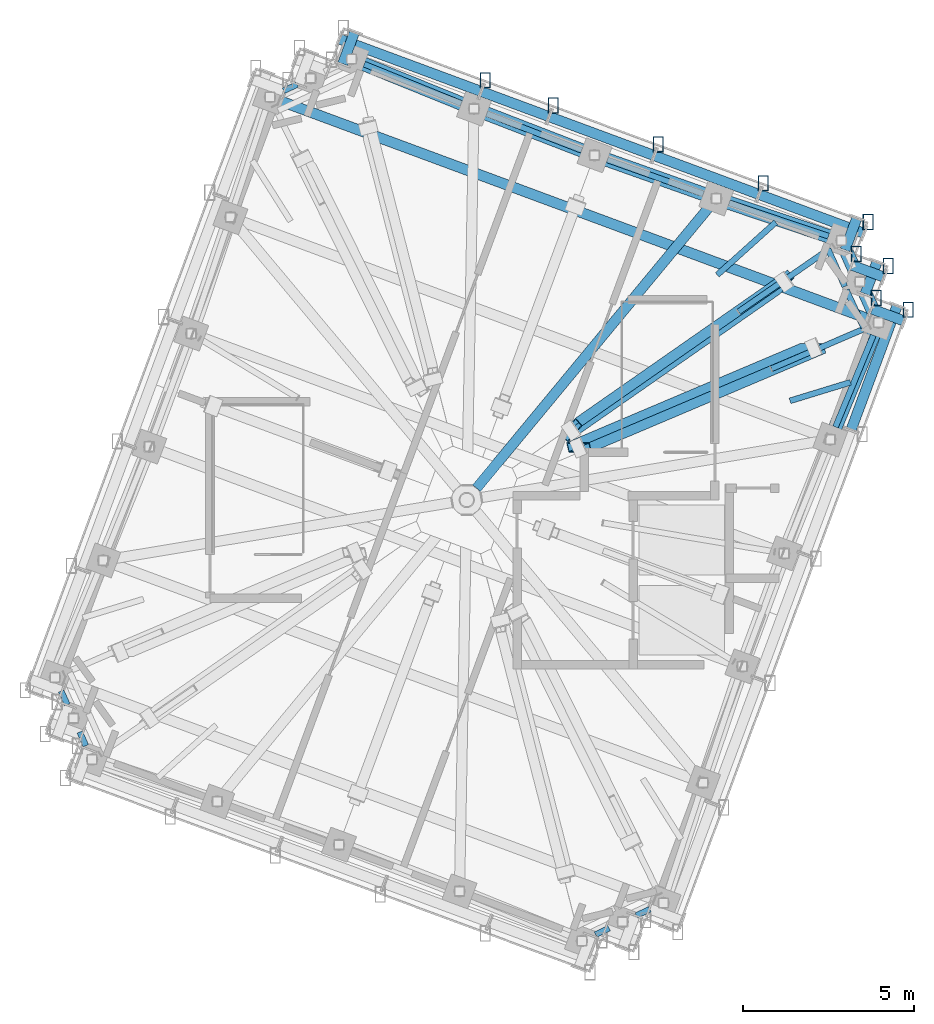
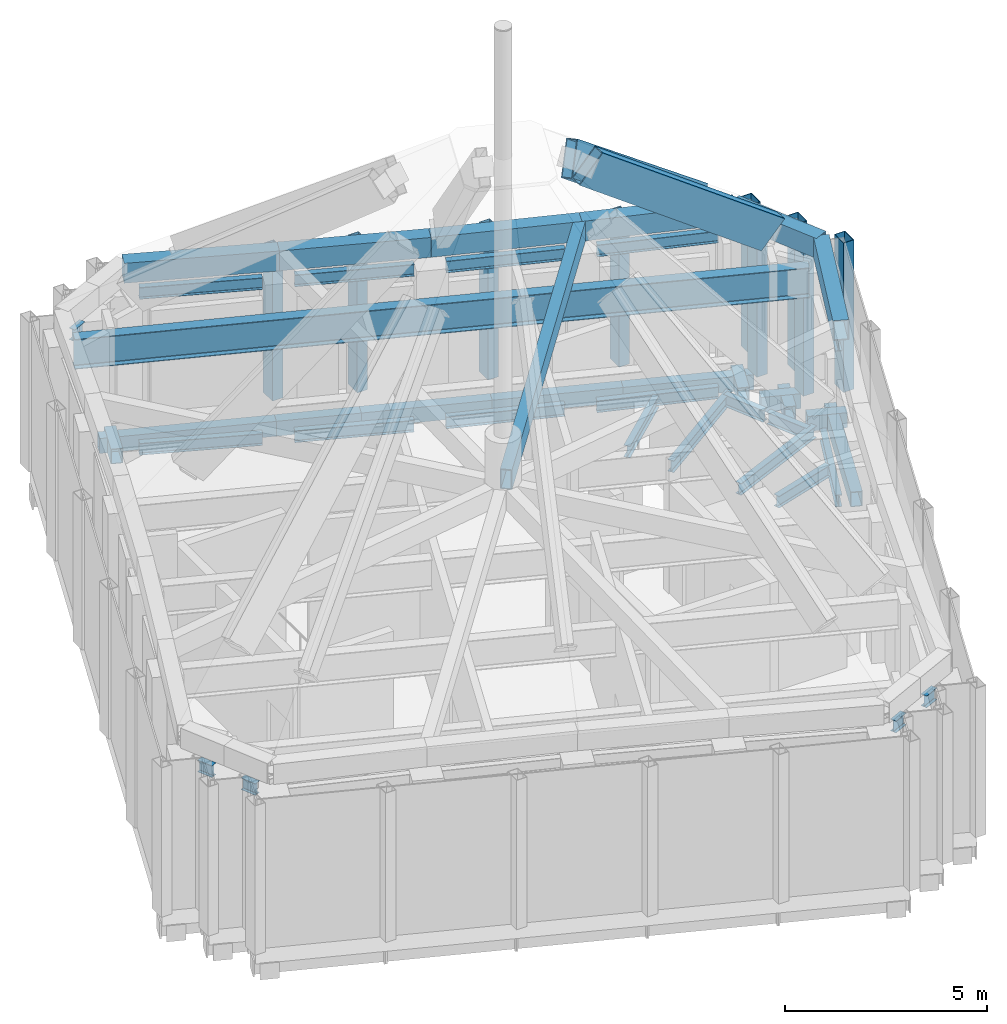
# One storey, part 4 of 14: 30 beams, 22 members, 13 elements without a shape of their own.
"""IFC4 building model written with IfcOpenShell, lengths in metres."""

from ifc_helpers import new_model, si_unit, direction, frame, origin, origin_2d, place, context, subcontext, project, spatial, hollow_rectangle, i_section, extrude, material, material_profile, profile_set, type_object, element, aggregate, save


model = new_model("IFC4")

# Units and contexts
model_context = context("Model", 3, precision=1e-05, world=origin(), true_north=direction((0.0, 1.0)))
body_context = subcontext(model_context, "Body", "Model", "MODEL_VIEW")
ifc_project = project(units=[si_unit("LENGTHUNIT", "METRE"), si_unit("AREAUNIT", "SQUARE_METRE"), si_unit("VOLUMEUNIT", "CUBIC_METRE"), si_unit("PLANEANGLEUNIT", "RADIAN"), si_unit("MASSUNIT", "GRAM", prefix="KILO")], contexts=[model_context])

# Site, building, storey
site_placement = place(None, origin())
site = spatial("IfcSite", under=ifc_project, at=site_placement, CompositionType="ELEMENT")
building_placement = place(site_placement, origin())
building = spatial("IfcBuilding", under=site, at=building_placement, Name="Cantera Rosa Tower", CompositionType="ELEMENT")
storey_placement = place(building_placement, frame((0.0, 0.0, 374.199951171875)))
storey = spatial("IfcBuildingStorey", under=building, at=storey_placement, Name="L84", CompositionType="ELEMENT", Elevation=374.199951171875)

# Curtain wall, member
ifc_material_1 = material(Name="Aluminium frame with clear glass", Category="aluminium")
curtain_wall_type = type_object("IfcCurtainWallType", Name="CW4 CROWN GLAZING", PredefinedType="NOTDEFINED", material=ifc_material_1)
curtain_wall_1_placement = place(storey_placement, origin())
curtain_wall_1 = element("IfcCurtainWall", 1, at=curtain_wall_1_placement, inside=storey, type_object=curtain_wall_type, Name="CW4 L84-01", PredefinedType="NOTDEFINED")
ifc_material_2 = material(Name="Steel S355J2 (EN 10025-2)", Category="steel")
ifc_material_profile_1 = material_profile(ifc_material_2, hollow_rectangle(XDim=0.300048828125, YDim=0.449951171875, WallThickness=0.01611328125, at=origin_2d()), Name="CROWN FRAME MULLION RHS 300x450x16")
ifc_profile_set_1 = profile_set([ifc_material_profile_1], Name="Steel S355J2 (EN 10025-2)")
member_type_1 = type_object("IfcMemberType", Name="CROWN FRAME MULLION RHS 300x450x16", PredefinedType="MULLION", material=ifc_profile_set_1)
member_1_placement = place(storey_placement, frame((11.76318359375, 8.14501953125, 0.0), z_axis=(0.0, 0.0, 1.0), x_axis=(1.0, 0.0, 0.0)))
member_1 = element("IfcMember", 2, at=member_1_placement, type_object=member_type_1, Name="CROWN FRAME rib L84-01", PredefinedType="MULLION", context=body_context, shape_type="SweptSolid", body=[
    extrude(hollow_rectangle(XDim=0.300048828125, YDim=0.449951171875, WallThickness=0.01611328125, at=origin_2d()), origin(), (0.0, 0.0, 1.0), 4.5),
])

curtain_wall_2_placement = place(storey_placement, origin())
curtain_wall_2 = element("IfcCurtainWall", 3, at=curtain_wall_2_placement, inside=storey, type_object=curtain_wall_type, Name="CW4 L84-02", PredefinedType="NOTDEFINED")
member_2_placement = place(storey_placement, frame((8.687744140625, 9.28466796875, 0.0), z_axis=(0.0, 0.0, 1.0), x_axis=(1.0, 0.0, 0.0)))
member_2 = element("IfcMember", 4, at=member_2_placement, type_object=member_type_1, Name="CROWN FRAME rib L84-02", PredefinedType="MULLION", context=body_context, shape_type="SweptSolid", body=[
    extrude(hollow_rectangle(XDim=0.300048828125, YDim=0.449951171875, WallThickness=0.01611328125, at=origin_2d()), origin(), (0.0, 0.0, 1.0), 4.5),
])

curtain_wall_3_placement = place(storey_placement, origin())
curtain_wall_3 = element("IfcCurtainWall", 5, at=curtain_wall_3_placement, inside=storey, type_object=curtain_wall_type, Name="CW4 L84-03", PredefinedType="NOTDEFINED")
member_3_placement = place(storey_placement, frame((5.612060546875, 10.424560546875, 0.0), z_axis=(0.0, 0.0, 1.0), x_axis=(1.0, 0.0, 0.0)))
member_3 = element("IfcMember", 6, at=member_3_placement, type_object=member_type_1, Name="CROWN FRAME rib L84-03", PredefinedType="MULLION", context=body_context, shape_type="SweptSolid", body=[
    extrude(hollow_rectangle(XDim=0.300048828125, YDim=0.449951171875, WallThickness=0.01611328125, at=origin_2d()), origin(), (0.0, 0.0, 1.0), 4.5),
])

curtain_wall_4_placement = place(storey_placement, origin())
curtain_wall_4 = element("IfcCurtainWall", 7, at=curtain_wall_4_placement, inside=storey, type_object=curtain_wall_type, Name="CW4 L84-04", PredefinedType="NOTDEFINED")
member_4_placement = place(storey_placement, frame((2.536376953125, 11.564208984375, 0.0), z_axis=(0.0, 0.0, 1.0), x_axis=(1.0, 0.0, 0.0)))
member_4 = element("IfcMember", 8, at=member_4_placement, type_object=member_type_1, Name="CROWN FRAME rib L84-04", PredefinedType="MULLION", context=body_context, shape_type="SweptSolid", body=[
    extrude(hollow_rectangle(XDim=0.300048828125, YDim=0.449951171875, WallThickness=0.01611328125, at=origin_2d()), origin(), (0.0, 0.0, 1.0), 4.5),
])

curtain_wall_5_placement = place(storey_placement, origin())
curtain_wall_5 = element("IfcCurtainWall", 9, at=curtain_wall_5_placement, inside=storey, type_object=curtain_wall_type, Name="CW4 L84-05", PredefinedType="NOTDEFINED")
member_5_placement = place(storey_placement, frame((0.5419921875, 12.30322265625, 0.0), z_axis=(0.0, 0.0, 1.0), x_axis=(1.0, 0.0, 0.0)))
member_5 = element("IfcMember", 10, at=member_5_placement, type_object=member_type_1, Name="CROWN FRAME rib L84-05", PredefinedType="MULLION", context=body_context, shape_type="SweptSolid", body=[
    extrude(hollow_rectangle(XDim=0.300048828125, YDim=0.449951171875, WallThickness=0.01611328125, at=origin_2d()), origin(), (0.0, 0.0, 1.0), 4.5),
])

curtain_wall_6_placement = place(storey_placement, origin())
curtain_wall_6 = element("IfcCurtainWall", 11, at=curtain_wall_6_placement, inside=storey, type_object=curtain_wall_type, Name="CW4 L84-33", PredefinedType="NOTDEFINED")
member_6_placement = place(storey_placement, frame((12.943603515625, 5.57470703125, 0.0), z_axis=(0.0, 0.0, 1.0), x_axis=(1.0, 0.0, 0.0)))
member_6 = element("IfcMember", 12, at=member_6_placement, type_object=member_type_1, Name="CROWN FRAME rib L84-33", PredefinedType="MULLION", context=body_context, shape_type="SweptSolid", body=[
    extrude(hollow_rectangle(XDim=0.300048828125, YDim=0.449951171875, WallThickness=0.01611328125, at=origin_2d()), origin(), (0.0, 0.0, 1.0), 4.5),
])

curtain_wall_7_placement = place(storey_placement, origin())
curtain_wall_7 = element("IfcCurtainWall", 13, at=curtain_wall_7_placement, inside=storey, type_object=curtain_wall_type, Name="CW4 L84-34", PredefinedType="NOTDEFINED")
member_7_placement = place(storey_placement, frame((12.005859375, 5.922119140625, 0.0), z_axis=(0.0, 0.0, 1.0), x_axis=(1.0, 0.0, 0.0)))
member_7 = element("IfcMember", 14, at=member_7_placement, type_object=member_type_1, Name="CROWN FRAME rib L84-34", PredefinedType="MULLION", context=body_context, shape_type="SweptSolid", body=[
    extrude(hollow_rectangle(XDim=0.300048828125, YDim=0.449951171875, WallThickness=0.01611328125, at=origin_2d()), origin(), (0.0, 0.0, 1.0), 4.5),
])

curtain_wall_8_placement = place(storey_placement, origin())
curtain_wall_8 = element("IfcCurtainWall", 15, at=curtain_wall_8_placement, inside=storey, type_object=curtain_wall_type, Name="CW4 L84-35", PredefinedType="NOTDEFINED")
member_8_placement = place(storey_placement, frame((12.353515625, 6.85986328125, 0.0), z_axis=(0.0, 0.0, 1.0), x_axis=(1.0, 0.0, 0.0)))
member_8 = element("IfcMember", 16, at=member_8_placement, type_object=member_type_1, Name="CROWN FRAME rib L84-35", PredefinedType="MULLION", context=body_context, shape_type="SweptSolid", body=[
    extrude(hollow_rectangle(XDim=0.300048828125, YDim=0.449951171875, WallThickness=0.01611328125, at=origin_2d()), origin(), (0.0, 0.0, 1.0), 4.5),
])

curtain_wall_9_placement = place(storey_placement, origin())
curtain_wall_9 = element("IfcCurtainWall", 17, at=curtain_wall_9_placement, inside=storey, type_object=curtain_wall_type, Name="CW4 L84-36", PredefinedType="NOTDEFINED")
member_9_placement = place(storey_placement, frame((11.415771484375, 7.207275390625, 0.0), z_axis=(0.0, 0.0, 1.0), x_axis=(1.0, 0.0, 0.0)))
member_9 = element("IfcMember", 18, at=member_9_placement, type_object=member_type_1, Name="CROWN FRAME rib L84-36", PredefinedType="MULLION", context=body_context, shape_type="SweptSolid", body=[
    extrude(hollow_rectangle(XDim=0.300048828125, YDim=0.449951171875, WallThickness=0.01611328125, at=origin_2d()), origin(), (0.0, 0.0, 1.0), 4.5),
])

# Member
ifc_material_3 = material(Name="Steel S355J2 (EN 10025-2)", Category="steel")
ifc_material_profile_2 = material_profile(ifc_material_3, hollow_rectangle(XDim=0.300048828125, YDim=0.449951171875, WallThickness=0.01611328125, at=origin_2d()), Name="CROWN FRAME PURLIN RHS 300x450x16")
ifc_profile_set_2 = profile_set([ifc_material_profile_2], Name="Steel S355J2 (EN 10025-2)")
member_type_2 = type_object("IfcMemberType", Name="CROWN FRAME PURLIN RHS 300x450x16", PredefinedType="PURLIN", material=ifc_profile_set_2)
member_10_placement = place(storey_placement, frame((11.6416015625, 7.81689453125, -0.675048828125), z_axis=(-0.937698470917, 0.347450108131, 0.0), x_axis=(-0.347450108131, -0.937698470917, 0.0)))
member_10 = element("IfcMember", 19, at=member_10_placement, type_object=member_type_2, Name="CROWN FRAME purlin L84-01", PredefinedType="PURLIN", context=body_context, shape_type="SweptSolid", body=[
    extrude(hollow_rectangle(XDim=0.300048828125, YDim=0.449951171875, WallThickness=0.01611328125, at=origin_2d()), origin(), (0.0, 0.0, 1.0), 3.280029296875),
])

aggregate(curtain_wall_1, [member_1, member_10])

member_11_placement = place(storey_placement, frame((8.56591796875, 8.95654296875, -0.675048828125), z_axis=(-0.93766522927, 0.34753980753, 0.0), x_axis=(-0.34753980753, -0.93766522927, 0.0)))
member_11 = element("IfcMember", 20, at=member_11_placement, type_object=member_type_2, Name="CROWN FRAME purlin L84-02", PredefinedType="PURLIN", context=body_context, shape_type="SweptSolid", body=[
    extrude(hollow_rectangle(XDim=0.300048828125, YDim=0.449951171875, WallThickness=0.01611328125, at=origin_2d()), origin(), (0.0, 0.0, 1.0), 3.27978515625),
])

aggregate(curtain_wall_2, [member_2, member_11])

member_12_placement = place(storey_placement, frame((5.490478515625, 10.096435546875, -0.675048828125), z_axis=(-0.937698470917, 0.347450108131, 0.0), x_axis=(-0.347450108131, -0.937698470917, 0.0)))
member_12 = element("IfcMember", 21, at=member_12_placement, type_object=member_type_2, Name="CROWN FRAME purlin L84-03", PredefinedType="PURLIN", context=body_context, shape_type="SweptSolid", body=[
    extrude(hollow_rectangle(XDim=0.300048828125, YDim=0.449951171875, WallThickness=0.01611328125, at=origin_2d()), origin(), (0.0, 0.0, 1.0), 3.280029296875),
])

aggregate(curtain_wall_3, [member_3, member_12])

member_13_placement = place(storey_placement, frame((2.414794921875, 11.236083984375, -0.675048828125), z_axis=(-0.937694748282, 0.347460154615, 0.0), x_axis=(-0.347460154615, -0.937694748282, 0.0)))
member_13 = element("IfcMember", 22, at=member_13_placement, type_object=member_type_2, Name="CROWN FRAME purlin L84-04", PredefinedType="PURLIN", context=body_context, shape_type="SweptSolid", body=[
    extrude(hollow_rectangle(XDim=0.300048828125, YDim=0.449951171875, WallThickness=0.01611328125, at=origin_2d()), origin(), (0.0, 0.0, 1.0), 2.126953125),
])

aggregate(curtain_wall_4, [member_4, member_13])

member_14_placement = place(storey_placement, frame((0.42041015625, 11.97509765625, -0.675048828125), z_axis=(-0.937675663394, 0.347511654882, 0.0), x_axis=(-0.347511654882, -0.937675663394, 0.0)))
member_14 = element("IfcMember", 23, at=member_14_placement, type_object=member_type_2, Name="CROWN FRAME purlin L84-05", PredefinedType="PURLIN", context=body_context, shape_type="SweptSolid", body=[
    extrude(hollow_rectangle(XDim=0.300048828125, YDim=0.449951171875, WallThickness=0.01611328125, at=origin_2d()), origin(), (0.0, 0.0, 1.0), 4.43310546875),
])

aggregate(curtain_wall_5, [member_5, member_14])

# Curtain wall, member
curtain_wall_10_placement = place(storey_placement, origin())
curtain_wall_10 = element("IfcCurtainWall", 24, at=curtain_wall_10_placement, inside=storey, type_object=curtain_wall_type, Name="CW4 L84-06", PredefinedType="NOTDEFINED")
member_15_placement = place(storey_placement, frame((-3.28662109375, 13.72216796875, -0.675048828125), z_axis=(-0.347401818267, -0.937716362588, 0.0), x_axis=(0.937716362588, -0.347401818267, 0.0)))
member_15 = element("IfcMember", 25, at=member_15_placement, type_object=member_type_2, Name="CROWN FRAME purlin L84-06", PredefinedType="PURLIN", context=body_context, shape_type="SweptSolid", body=[
    extrude(hollow_rectangle(XDim=0.300048828125, YDim=0.449951171875, WallThickness=0.01611328125, at=origin_2d()), origin(), (0.0, 0.0, 1.0), 1.0),
])
aggregate(curtain_wall_10, [member_15])

curtain_wall_11_placement = place(storey_placement, origin())
curtain_wall_11 = element("IfcCurtainWall", 26, at=curtain_wall_11_placement, inside=storey, type_object=curtain_wall_type, Name="CW4 L84-32", PredefinedType="NOTDEFINED")
member_16_placement = place(storey_placement, frame((11.263671875, 2.048828125, -0.675048828125), z_axis=(0.347516717491, 0.937673787126, 0.0), x_axis=(-0.937673787126, 0.347516717491, 0.0)))
member_16 = element("IfcMember", 27, at=member_16_placement, type_object=member_type_2, Name="CROWN FRAME purlin L84-32", PredefinedType="PURLIN", context=body_context, shape_type="SweptSolid", body=[
    extrude(hollow_rectangle(XDim=0.300048828125, YDim=0.449951171875, WallThickness=0.01611328125, at=origin_2d()), origin(), (0.0, 0.0, 1.0), 3.889892578125),
])
aggregate(curtain_wall_11, [member_16])

# Member
member_17_placement = place(storey_placement, frame((12.822021484375, 5.24658203125, -0.675048828125), z_axis=(-0.937716362588, 0.347401818267, 0.0), x_axis=(-0.347401818267, -0.937716362588, 0.0)))
member_17 = element("IfcMember", 28, at=member_17_placement, type_object=member_type_2, Name="CROWN FRAME purlin L84-33", PredefinedType="PURLIN", context=body_context, shape_type="SweptSolid", body=[
    extrude(hollow_rectangle(XDim=0.300048828125, YDim=0.449951171875, WallThickness=0.01611328125, at=origin_2d()), origin(), (0.0, 0.0, 1.0), 1.0),
])

aggregate(curtain_wall_6, [member_6, member_17])

member_18_placement = place(storey_placement, frame((11.677734375, 6.043701171875, -0.675048828125), z_axis=(0.347401818267, 0.937716362588, 0.0), x_axis=(-0.937716362588, 0.347401818267, 0.0)))
member_18 = element("IfcMember", 29, at=member_18_placement, type_object=member_type_2, Name="CROWN FRAME purlin L84-34", PredefinedType="PURLIN", context=body_context, shape_type="SweptSolid", body=[
    extrude(hollow_rectangle(XDim=0.300048828125, YDim=0.449951171875, WallThickness=0.01611328125, at=origin_2d()), origin(), (0.0, 0.0, 1.0), 1.0),
])

aggregate(curtain_wall_7, [member_7, member_18])

member_19_placement = place(storey_placement, frame((12.23193359375, 6.53173828125, -0.675048828125), z_axis=(-0.937716362588, 0.347401818267, 0.0), x_axis=(-0.347401818267, -0.937716362588, 0.0)))
member_19 = element("IfcMember", 30, at=member_19_placement, type_object=member_type_2, Name="CROWN FRAME purlin L84-35", PredefinedType="PURLIN", context=body_context, shape_type="SweptSolid", body=[
    extrude(hollow_rectangle(XDim=0.300048828125, YDim=0.449951171875, WallThickness=0.01611328125, at=origin_2d()), origin(), (0.0, 0.0, 1.0), 1.0),
])

aggregate(curtain_wall_8, [member_8, member_19])

member_20_placement = place(storey_placement, frame((11.087646484375, 7.328857421875, -0.675048828125), z_axis=(0.347401818267, 0.937716362588, 0.0), x_axis=(-0.937716362588, 0.347401818267, 0.0)))
member_20 = element("IfcMember", 31, at=member_20_placement, type_object=member_type_2, Name="CROWN FRAME purlin L84-36", PredefinedType="PURLIN", context=body_context, shape_type="SweptSolid", body=[
    extrude(hollow_rectangle(XDim=0.300048828125, YDim=0.449951171875, WallThickness=0.01611328125, at=origin_2d()), origin(), (0.0, 0.0, 1.0), 1.0),
])

aggregate(curtain_wall_9, [member_9, member_20])

# Curtain wall, member
curtain_wall_12_placement = place(storey_placement, origin())
curtain_wall_12 = element("IfcCurtainWall", 32, at=curtain_wall_12_placement, inside=storey, type_object=curtain_wall_type, Name="CW4 L84-06", PredefinedType="NOTDEFINED")
ifc_material_4 = material(Name="Steel S355J2 (EN 10025-2)", Category="steel")
ifc_material_profile_3 = material_profile(ifc_material_4, hollow_rectangle(XDim=0.300048828125, YDim=1.0, WallThickness=0.02490234375, at=origin_2d()), Name="CROWN HIP RAFTER RHS 300x1000x25")
ifc_profile_set_3 = profile_set([ifc_material_profile_3], Name="Steel S355J2 (EN 10025-2)")
member_type_3 = type_object("IfcMemberType", Name="CROWN HIP RAFTER RHS 300x1000x25", PredefinedType="RAFTER", material=ifc_profile_set_3)
member_21_placement = place(storey_placement, frame((10.154052734375, 4.44873046875, 6.333251953125), z_axis=(-0.710487546272, -0.301068181537, 0.636054554782), x_axis=(-0.225007431525, 0.953602099005, 0.200036727957)))
member_21 = element("IfcMember", 33, at=member_21_placement, type_object=member_type_3, Name="CROWN FRAME rib L84-06", PredefinedType="RAFTER", context=body_context, shape_type="SweptSolid", body=[
    extrude(hollow_rectangle(XDim=0.300048828125, YDim=1.0, WallThickness=0.02490234375, at=origin_2d()), origin(), (0.0, 0.0, 1.0), 9.65966796875),
])
aggregate(curtain_wall_12, [member_21])

curtain_wall_13_placement = place(storey_placement, origin())
curtain_wall_13 = element("IfcCurtainWall", 34, at=curtain_wall_13_placement, inside=storey, type_object=curtain_wall_type, Name="CW4 L84-07", PredefinedType="NOTDEFINED")
member_22_placement = place(storey_placement, frame((9.28955078125, 6.385986328125, 6.3212890625), z_axis=(-0.637150781538, -0.444401597617, 0.629719065632), x_axis=(-0.641892340594, 0.758215272335, -0.114384543904)))
member_22 = element("IfcMember", 35, at=member_22_placement, type_object=member_type_3, Name="CROWN FRAME rib L84-07", PredefinedType="RAFTER", context=body_context, shape_type="SweptSolid", body=[
    extrude(hollow_rectangle(XDim=0.300048828125, YDim=1.0, WallThickness=0.02490234375, at=origin_2d()), origin(), (0.0, 0.0, 1.0), 9.7568359375),
])
aggregate(curtain_wall_13, [member_22])

# Beams
ifc_material_5 = material(Name="Steel S355J2 (EN 10025-2)", Category="steel")
ifc_material_profile_4 = material_profile(ifc_material_5, hollow_rectangle(XDim=0.39990234375, YDim=0.60009765625, WallThickness=0.02490234375, at=origin_2d()), Name="CROWN RING BOX 400x600x25")
ifc_profile_set_4 = profile_set([ifc_material_profile_4], Name="Steel S355J2 (EN 10025-2)")
beam_type_1 = type_object("IfcBeamType", Name="CROWN RING BOX 400x600x25", PredefinedType="BEAM", material=ifc_profile_set_4)
beam_1_placement = place(storey_placement, frame((10.65478515625, 1.771240234375, 4.800048828125), z_axis=(0.381865284595, 0.924217996158, 0.0), x_axis=(-0.924217996158, 0.381865284595, 0.0)))
element("IfcBeam", 36, at=beam_1_placement, inside=storey, type_object=beam_type_1, Name="CROWN RING RR-14", PredefinedType="BEAM", context=body_context, shape_type="SweptSolid", body=[
    extrude(hollow_rectangle(XDim=0.39990234375, YDim=0.60009765625, WallThickness=0.02490234375, at=origin_2d()), origin(), (0.0, 0.0, 1.0), 3.708740234375),
])
beam_2_placement = place(storey_placement, frame((12.071044921875, 5.198974609375, 4.800048828125), z_axis=(-0.415545404784, 0.909572436128, 0.0), x_axis=(-0.909572436128, -0.415545404784, 0.0)))
element("IfcBeam", 37, at=beam_2_placement, inside=storey, type_object=beam_type_1, Name="CROWN RING RR-15", PredefinedType="BEAM", context=body_context, shape_type="SweptSolid", body=[
    extrude(hollow_rectangle(XDim=0.39990234375, YDim=0.60009765625, WallThickness=0.02490234375, at=origin_2d()), origin(), (0.0, 0.0, 1.0), 1.319091796875),
])
beam_3_placement = place(storey_placement, frame((11.52294921875, 6.398681640625, 4.800048828125), z_axis=(-0.409273413016, 0.912411789379, 0.0), x_axis=(-0.912411789379, -0.409273413016, 0.0)))
element("IfcBeam", 38, at=beam_3_placement, inside=storey, type_object=beam_type_1, Name="CROWN RING RR-16", PredefinedType="BEAM", context=body_context, shape_type="SweptSolid", body=[
    extrude(hollow_rectangle(XDim=0.39990234375, YDim=0.60009765625, WallThickness=0.02490234375, at=origin_2d()), origin(), (0.0, 0.0, 1.0), 1.3212890625),
])
beam_4_placement = place(storey_placement, frame((10.982177734375, 7.604248046875, 4.800048828125), z_axis=(-0.947860215673, 0.31868638431, 0.0), x_axis=(-0.31868638431, -0.947860215673, 0.0)))
element("IfcBeam", 39, at=beam_4_placement, inside=storey, type_object=beam_type_1, Name="CROWN RING RR-17", PredefinedType="BEAM", context=body_context, shape_type="SweptSolid", body=[
    extrude(hollow_rectangle(XDim=0.39990234375, YDim=0.60009765625, WallThickness=0.02490234375, at=origin_2d()), origin(), (0.0, 0.0, 1.0), 3.87109375),
])
beam_5_placement = place(storey_placement, frame((7.31298828125, 8.837890625, 4.800048828125), z_axis=(-0.94248934382, 0.334236199095, 0.0), x_axis=(-0.334236199095, -0.94248934382, 0.0)))
element("IfcBeam", 40, at=beam_5_placement, inside=storey, type_object=beam_type_1, Name="CROWN RING RR-18", PredefinedType="BEAM", context=body_context, shape_type="SweptSolid", body=[
    extrude(hollow_rectangle(XDim=0.39990234375, YDim=0.60009765625, WallThickness=0.02490234375, at=origin_2d()), origin(), (0.0, 0.0, 1.0), 3.78662109375),
])
beam_6_placement = place(storey_placement, frame((3.744140625, 10.103515625, 4.800048828125), z_axis=(-0.932701060965, 0.360650427527, 0.0), x_axis=(-0.360650427527, -0.932701060965, 0.0)))
element("IfcBeam", 41, at=beam_6_placement, inside=storey, type_object=beam_type_1, Name="CROWN RING RR-19", PredefinedType="BEAM", context=body_context, shape_type="SweptSolid", body=[
    extrude(hollow_rectangle(XDim=0.39990234375, YDim=0.60009765625, WallThickness=0.02490234375, at=origin_2d()), origin(), (0.0, 0.0, 1.0), 3.786865234375),
])
beam_7_placement = place(storey_placement, frame((0.212158203125, 11.46923828125, 4.800048828125), z_axis=(-0.92663418017, 0.375964221889, 0.0), x_axis=(-0.375964221889, -0.92663418017, 0.0)))
element("IfcBeam", 42, at=beam_7_placement, inside=storey, type_object=beam_type_1, Name="CROWN RING RR-20", PredefinedType="BEAM", context=body_context, shape_type="SweptSolid", body=[
    extrude(hollow_rectangle(XDim=0.39990234375, YDim=0.60009765625, WallThickness=0.02490234375, at=origin_2d()), origin(), (0.0, 0.0, 1.0), 3.870849609375),
])
ifc_material_6 = material(Name="Steel S355J2 (EN 10025-2)", Category="steel")
ifc_material_profile_5 = material_profile(ifc_material_6, hollow_rectangle(XDim=0.300048828125, YDim=0.60009765625, WallThickness=0.02490234375, at=origin_2d()), Name="CROWN TIE BOX 300x600x25")
ifc_profile_set_5 = profile_set([ifc_material_profile_5], Name="Steel S355J2 (EN 10025-2)")
beam_type_2 = type_object("IfcBeamType", Name="CROWN TIE BOX 300x600x25", PredefinedType="BEAM", material=ifc_profile_set_5)
beam_8_placement = place(storey_placement, frame((7.31298828125, 8.837890625, 4.800048828125), z_axis=(-0.637509229333, -0.770442718517, 0.0), x_axis=(0.770442718517, -0.637509229333, 0.0)))
element("IfcBeam", 43, at=beam_8_placement, inside=storey, type_object=beam_type_2, Name="CROWN TIE 02A", PredefinedType="BEAM", context=body_context, shape_type="SweptSolid", body=[
    extrude(hollow_rectangle(XDim=0.300048828125, YDim=0.60009765625, WallThickness=0.02490234375, at=origin_2d()), origin(), (0.0, 0.0, 1.0), 11.021240234375),
])
ifc_material_7 = material(Name="Steel ASTM A992 (Fy 345 MPa)", Category="steel")
ifc_material_profile_6 = material_profile(ifc_material_7, i_section(OverallWidth=0.1708984375, OverallDepth=0.35595703125, WebThickness=0.00732421875, FlangeThickness=0.01171875, FilletRadius=0.010009765625, at=origin_2d()), Name="W360X51")
ifc_profile_set_6 = profile_set([ifc_material_profile_6], Name="Steel ASTM A992 (Fy 345 MPa)")
beam_type_3 = type_object("IfcBeamType", Name="STEEL BEAM W360X51", PredefinedType="BEAM", material=ifc_profile_set_6)
beam_9_placement = place(storey_placement, frame((10.735595703125, 7.433349609375, -0.6279296875), z_axis=(-0.822168690047, -0.569243924084, 0.0), x_axis=(0.569243924084, -0.822168690047, 0.0)))
element("IfcBeam", 44, at=beam_9_placement, inside=storey, type_object=beam_type_3, Name="CG-Z6-01 L84", PredefinedType="BEAM", context=body_context, shape_type="SweptSolid", body=[
    extrude(i_section(OverallWidth=0.1708984375, OverallDepth=0.35595703125, WebThickness=0.00732421875, FlangeThickness=0.01171875, FilletRadius=0.010009765625, at=origin_2d()), origin(), (0.0, 0.0, 1.0), 3.365966796875),
])
beam_10_placement = place(storey_placement, frame((11.795654296875, 5.080322265625, -0.6279296875), z_axis=(-0.918442818511, -0.395553775264, 0.0), x_axis=(0.395553775264, -0.918442818511, 0.0)))
element("IfcBeam", 45, at=beam_10_placement, inside=storey, type_object=beam_type_3, Name="CG-Z6-09 L84", PredefinedType="BEAM", context=body_context, shape_type="SweptSolid", body=[
    extrude(i_section(OverallWidth=0.1708984375, OverallDepth=0.35595703125, WebThickness=0.00732421875, FlangeThickness=0.01171875, FilletRadius=0.010009765625, at=origin_2d()), origin(), (0.0, 0.0, 1.0), 3.117431640625),
])
beam_11_placement = place(storey_placement, frame((9.058349609375, 8.140869140625, -0.6279296875), z_axis=(-0.743741444393, -0.668467399274, 0.0), x_axis=(0.668467399274, -0.743741444393, 0.0)))
element("IfcBeam", 46, at=beam_11_placement, inside=storey, type_object=beam_type_3, Name="CB-Z6-01 L84", PredefinedType="BEAM", context=body_context, shape_type="SweptSolid", body=[
    extrude(i_section(OverallWidth=0.1708984375, OverallDepth=0.35595703125, WebThickness=0.00732421875, FlangeThickness=0.01171875, FilletRadius=0.010009765625, at=origin_2d()), origin(), (0.0, 0.0, 1.0), 2.305908203125),
])
beam_12_placement = place(storey_placement, frame((11.248291015625, 3.449951171875, -0.6279296875), z_axis=(-0.95604338139, -0.293225259655, 0.0), x_axis=(0.293225259655, -0.95604338139, 0.0)))
element("IfcBeam", 47, at=beam_12_placement, inside=storey, type_object=beam_type_3, Name="CB-Z6-07 L84", PredefinedType="BEAM", context=body_context, shape_type="SweptSolid", body=[
    extrude(i_section(OverallWidth=0.1708984375, OverallDepth=0.35595703125, WebThickness=0.00732421875, FlangeThickness=0.01171875, FilletRadius=0.010009765625, at=origin_2d()), origin(), (0.0, 0.0, 1.0), 1.854248046875),
])
ifc_material_8 = material(Name="Steel ASTM A992 (Fy 345 MPa)", Category="steel")
ifc_material_profile_7 = material_profile(ifc_material_8, i_section(OverallWidth=0.304931640625, OverallDepth=0.904052734375, WebThickness=0.01513671875, FlangeThickness=0.02001953125, FilletRadius=0.01904296875, at=origin_2d()), Name="W920X201")
ifc_profile_set_7 = profile_set([ifc_material_profile_7], Name="Steel ASTM A992 (Fy 345 MPa)")
beam_type_4 = type_object("IfcBeamType", Name="STEEL BEAM W920X201", PredefinedType="BEAM", material=ifc_profile_set_7)
beam_13_placement = place(storey_placement, frame((11.789794921875, 5.302734375, 3.798095703125), z_axis=(-0.937686728837, 0.347481796018, 0.0), x_axis=(-0.347481796018, -0.937686728837, 0.0)))
element("IfcBeam", 48, at=beam_13_placement, inside=storey, type_object=beam_type_4, Name="RG-Z6-06 L84", PredefinedType="BEAM", context=body_context, shape_type="SweptSolid", body=[
    extrude(i_section(OverallWidth=0.304931640625, OverallDepth=0.904052734375, WebThickness=0.01513671875, FlangeThickness=0.02001953125, FilletRadius=0.01904296875, at=origin_2d()), origin(), (0.0, 0.0, 1.0), 18.425048828125),
])
ifc_material_9 = material(Name="Steel ASTM A992 (Fy 345 MPa)", Category="steel")
ifc_material_profile_8 = material_profile(ifc_material_9, i_section(OverallWidth=0.1708984375, OverallDepth=0.35595703125, WebThickness=0.00732421875, FlangeThickness=0.01171875, FilletRadius=0.010009765625, at=origin_2d()), Name="W360X51")
ifc_profile_set_8 = profile_set([ifc_material_profile_8], Name="Steel ASTM A992 (Fy 345 MPa)")
beam_type_5 = type_object("IfcBeamType", Name="STEEL SPANDREL BEAM W360X51", PredefinedType="SPANDREL", material=ifc_profile_set_8)
beam_14_placement = place(storey_placement, frame((10.602783203125, 7.731689453125, -0.6279296875), z_axis=(-0.947861144177, 0.318683622671, 0.0), x_axis=(-0.318683622671, -0.947861144177, 0.0)))
element("IfcBeam", 49, at=beam_14_placement, inside=storey, type_object=beam_type_5, Name="CEB-Z6-01 L84", PredefinedType="SPANDREL", context=body_context, shape_type="SweptSolid", body=[
    extrude(i_section(OverallWidth=0.1708984375, OverallDepth=0.35595703125, WebThickness=0.00732421875, FlangeThickness=0.01171875, FilletRadius=0.010009765625, at=origin_2d()), origin(), (0.0, 0.0, 1.0), 3.070556640625),
])
for number, where, z_axis, x_axis, name in (
    (50, (6.93603515625, 8.971435546875, -0.6279296875), (-0.942460980709, 0.334316167485, 0.0), (-0.334316167485, -0.942460980709, 0.0), "CEB-Z6-02 L84"),
    (51, (3.37109375, 10.247802734375, -0.6279296875), (-0.932710050154, 0.36062717915, 0.0), (-0.36062717915, -0.932710050154, 0.0), "CEB-Z6-03 L84"),
):
    element("IfcBeam", number, at=place(storey_placement, frame(where, z_axis=z_axis, x_axis=x_axis)), inside=storey, type_object=beam_type_5, Name=name, PredefinedType="SPANDREL", context=body_context, shape_type="SweptSolid", body=[
        extrude(i_section(OverallWidth=0.1708984375, OverallDepth=0.35595703125, WebThickness=0.00732421875, FlangeThickness=0.01171875, FilletRadius=0.010009765625, at=origin_2d()), origin(), (0.0, 0.0, 1.0), 2.98681640625),
    ])
beam_15_placement = place(storey_placement, frame((-0.15869140625, 11.61962890625, -0.6279296875), z_axis=(-0.926617259816, 0.376005922574, 0.0), x_axis=(-0.376005922574, -0.926617259816, 0.0)))
element("IfcBeam", 52, at=beam_15_placement, inside=storey, type_object=beam_type_5, Name="CEB-Z6-04 L84", PredefinedType="SPANDREL", context=body_context, shape_type="SweptSolid", body=[
    extrude(i_section(OverallWidth=0.1708984375, OverallDepth=0.35595703125, WebThickness=0.00732421875, FlangeThickness=0.01171875, FilletRadius=0.010009765625, at=origin_2d()), origin(), (0.0, 0.0, 1.0), 3.070556640625),
])
beam_16_placement = place(storey_placement, frame((10.8076171875, 2.141357421875, -0.6279296875), z_axis=(0.381919181871, 0.924195725222, 0.0), x_axis=(-0.924195725222, 0.381919181871, 0.0)))
element("IfcBeam", 53, at=beam_16_placement, inside=storey, type_object=beam_type_5, Name="CEB-Z6-24 L84", PredefinedType="SPANDREL", context=body_context, shape_type="SweptSolid", body=[
    extrude(i_section(OverallWidth=0.1708984375, OverallDepth=0.35595703125, WebThickness=0.00732421875, FlangeThickness=0.01171875, FilletRadius=0.010009765625, at=origin_2d()), origin(), (0.0, 0.0, 1.0), 2.907958984375),
])
beam_17_placement = place(storey_placement, frame((11.6298828125, 5.057861328125, -0.6279296875), z_axis=(-0.415645093838, 0.909526885786, 0.0), x_axis=(-0.909526885786, -0.415645093838, 0.0)))
element("IfcBeam", 54, at=beam_17_placement, inside=storey, type_object=beam_type_5, Name="CEB-Z6-25 L84", PredefinedType="SPANDREL", context=body_context, shape_type="SweptSolid", body=[
    extrude(i_section(OverallWidth=0.1708984375, OverallDepth=0.35595703125, WebThickness=0.00732421875, FlangeThickness=0.01171875, FilletRadius=0.010009765625, at=origin_2d()), origin(), (0.0, 0.0, 1.0), 1.207763671875),
])
beam_18_placement = place(storey_placement, frame((11.081787109375, 6.25830078125, -0.6279296875), z_axis=(-0.409206533064, 0.912441786251, 0.0), x_axis=(-0.912441786251, -0.409206533064, 0.0)))
element("IfcBeam", 55, at=beam_18_placement, inside=storey, type_object=beam_type_5, Name="CEB-Z6-26 L84", PredefinedType="SPANDREL", context=body_context, shape_type="SweptSolid", body=[
    extrude(i_section(OverallWidth=0.1708984375, OverallDepth=0.35595703125, WebThickness=0.00732421875, FlangeThickness=0.01171875, FilletRadius=0.010009765625, at=origin_2d()), origin(), (0.0, 0.0, 1.0), 1.2099609375),
])
beam_19_placement = place(storey_placement, frame((10.602783203125, 7.731689453125, 4.072021484375), z_axis=(-0.947861144177, 0.318683622671, 0.0), x_axis=(-0.318683622671, -0.947861144177, 0.0)))
element("IfcBeam", 56, at=beam_19_placement, inside=storey, type_object=beam_type_5, Name="RB-Z6-01 L84", PredefinedType="SPANDREL", context=body_context, shape_type="SweptSolid", body=[
    extrude(i_section(OverallWidth=0.1708984375, OverallDepth=0.35595703125, WebThickness=0.00732421875, FlangeThickness=0.01171875, FilletRadius=0.010009765625, at=origin_2d()), origin(), (0.0, 0.0, 1.0), 3.070556640625),
])
for number, where, z_axis, x_axis, name in (
    (57, (6.93603515625, 8.971435546875, 4.072021484375), (-0.942460980709, 0.334316167485, 0.0), (-0.334316167485, -0.942460980709, 0.0), "RB-Z6-02 L84"),
    (58, (3.37109375, 10.247802734375, 4.072021484375), (-0.932710050154, 0.36062717915, 0.0), (-0.36062717915, -0.932710050154, 0.0), "RB-Z6-03 L84"),
):
    element("IfcBeam", number, at=place(storey_placement, frame(where, z_axis=z_axis, x_axis=x_axis)), inside=storey, type_object=beam_type_5, Name=name, PredefinedType="SPANDREL", context=body_context, shape_type="SweptSolid", body=[
        extrude(i_section(OverallWidth=0.1708984375, OverallDepth=0.35595703125, WebThickness=0.00732421875, FlangeThickness=0.01171875, FilletRadius=0.010009765625, at=origin_2d()), origin(), (0.0, 0.0, 1.0), 2.98681640625),
    ])
beam_20_placement = place(storey_placement, frame((-0.15869140625, 11.61962890625, 4.072021484375), z_axis=(-0.926617259816, 0.376005922574, 0.0), x_axis=(-0.376005922574, -0.926617259816, 0.0)))
element("IfcBeam", 59, at=beam_20_placement, inside=storey, type_object=beam_type_5, Name="RB-Z6-04 L84", PredefinedType="SPANDREL", context=body_context, shape_type="SweptSolid", body=[
    extrude(i_section(OverallWidth=0.1708984375, OverallDepth=0.35595703125, WebThickness=0.00732421875, FlangeThickness=0.01171875, FilletRadius=0.010009765625, at=origin_2d()), origin(), (0.0, 0.0, 1.0), 3.070556640625),
])
for number, where, z_axis, x_axis, name in (
    (60, (-4.9697265625, 12.17822265625, 4.072021484375), (-0.907878107362, -0.419234233063, 0.0), (0.419234233063, -0.907878107362, 0.0), "RB-Z6-06 L84"),
    (61, (-11.888427734375, -5.598876953125, 4.072021484375), (0.415851605701, -0.909432483495, 0.0), (0.909432483495, 0.415851605701, 0.0), "RB-Z6-12 L84"),
):
    element("IfcBeam", number, at=place(storey_placement, frame(where, z_axis=z_axis, x_axis=x_axis)), inside=storey, type_object=beam_type_5, Name=name, PredefinedType="SPANDREL", context=body_context, shape_type="SweptSolid", body=[
        extrude(i_section(OverallWidth=0.1708984375, OverallDepth=0.35595703125, WebThickness=0.00732421875, FlangeThickness=0.01171875, FilletRadius=0.010009765625, at=origin_2d()), origin(), (0.0, 0.0, 1.0), 0.439697265625),
    ])
for number, where, z_axis, x_axis, name in (
    (62, (-11.3427734375, -6.800537109375, 4.072021484375), (0.409580989432, -0.912273759952, 0.0), (0.912273759952, 0.409580989432, 0.0), "RB-Z6-13 L84"),
    (63, (3.7734375, -12.7373046875, 4.072021484375), (0.904818702201, 0.42579703633, 0.0), (-0.42579703633, 0.904818702201, 0.0), "RB-Z6-18 L84"),
):
    element("IfcBeam", number, at=place(storey_placement, frame(where, z_axis=z_axis, x_axis=x_axis)), inside=storey, type_object=beam_type_5, Name=name, PredefinedType="SPANDREL", context=body_context, shape_type="SweptSolid", body=[
        extrude(i_section(OverallWidth=0.1708984375, OverallDepth=0.35595703125, WebThickness=0.00732421875, FlangeThickness=0.01171875, FilletRadius=0.010009765625, at=origin_2d()), origin(), (0.0, 0.0, 1.0), 0.4404296875),
    ])
beam_21_placement = place(storey_placement, frame((4.9697265625, -12.17822265625, 4.072021484375), z_axis=(0.907878107362, 0.419234233063, 0.0), x_axis=(-0.419234233063, 0.907878107362, 0.0)))
element("IfcBeam", 64, at=beam_21_placement, inside=storey, type_object=beam_type_5, Name="RB-Z6-19 L84", PredefinedType="SPANDREL", context=body_context, shape_type="SweptSolid", body=[
    extrude(i_section(OverallWidth=0.1708984375, OverallDepth=0.35595703125, WebThickness=0.00732421875, FlangeThickness=0.01171875, FilletRadius=0.010009765625, at=origin_2d()), origin(), (0.0, 0.0, 1.0), 0.439697265625),
])
beam_22_placement = place(storey_placement, frame((10.8076171875, 2.141357421875, 4.072021484375), z_axis=(0.381919181871, 0.924195725222, 0.0), x_axis=(-0.924195725222, 0.381919181871, 0.0)))
element("IfcBeam", 65, at=beam_22_placement, inside=storey, type_object=beam_type_5, Name="RB-Z6-24 L84", PredefinedType="SPANDREL", context=body_context, shape_type="SweptSolid", body=[
    extrude(i_section(OverallWidth=0.1708984375, OverallDepth=0.35595703125, WebThickness=0.00732421875, FlangeThickness=0.01171875, FilletRadius=0.010009765625, at=origin_2d()), origin(), (0.0, 0.0, 1.0), 2.907958984375),
])

save(model, "model.ifc")
